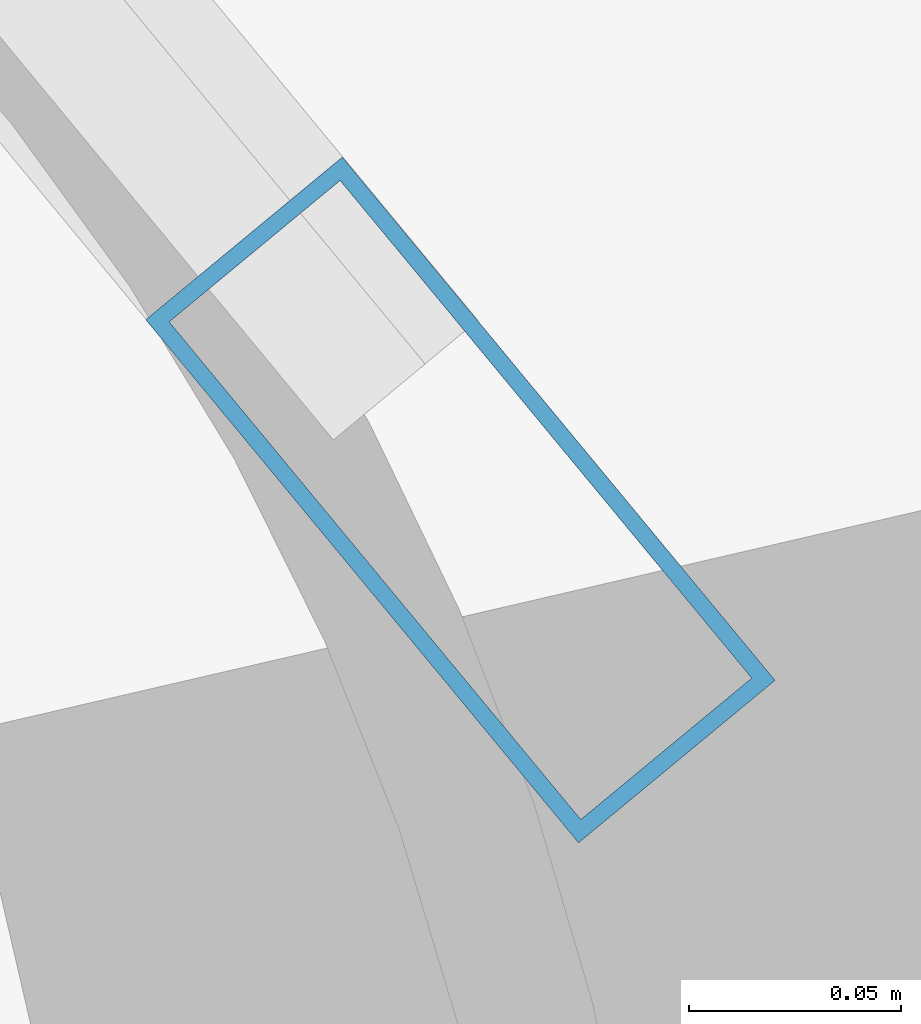
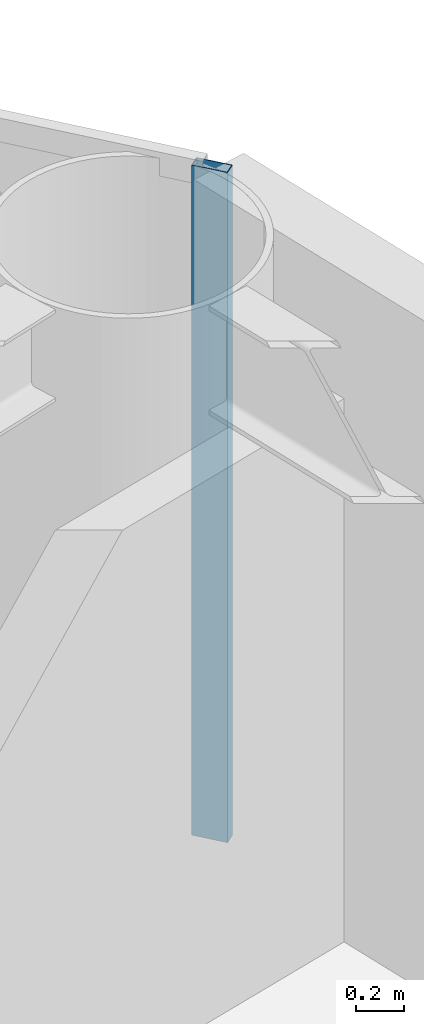
# One storey, part 9 of 27: 1 member, 1 element without a shape of its own.
"""IFC4 building model written with IfcOpenShell, lengths in metres."""

from ifc_helpers import new_model, si_unit, direction, frame, origin, origin_2d, place, context, subcontext, project, spatial, hollow_rectangle, extrude, material, layer, layer_set, material_profile, profile_set, type_object, element, aggregate, save


model = new_model("IFC4")

# Units and contexts
model_context = context("Model", 3, precision=1e-05, world=origin(), true_north=direction((0.0, 1.0)))
body_context = subcontext(model_context, "Body", "Model", "MODEL_VIEW")
ifc_project = project(units=[si_unit("LENGTHUNIT", "METRE"), si_unit("AREAUNIT", "SQUARE_METRE"), si_unit("VOLUMEUNIT", "CUBIC_METRE"), si_unit("PLANEANGLEUNIT", "RADIAN"), si_unit("MASSUNIT", "GRAM", prefix="KILO")], contexts=[model_context])

# Site, building, storey
site_placement = place(None, origin())
site = spatial("IfcSite", under=ifc_project, at=site_placement, CompositionType="ELEMENT")
building_placement = place(site_placement, origin())
building = spatial("IfcBuilding", under=site, at=building_placement, Name="Sarneth Arch Tower", CompositionType="ELEMENT")
storey_placement = place(building_placement, frame((0.0, 0.0, 186.60009765625)))
storey = spatial("IfcBuildingStorey", under=building, at=storey_placement, Name="L47", CompositionType="ELEMENT", Elevation=186.60009765625)

# Curtain wall, member
ifc_material_1 = material(Name="Anodised aluminium Type AA25 and solar-control low-e laminated IGU", Category="aluminium")
ifc_layer = layer(ifc_material_1, 0.169921875)
ifc_layer_set = layer_set([ifc_layer], Name="Anodised aluminium Type AA25 and solar-control low-e laminated IGU")
curtain_wall_type = type_object("IfcCurtainWallType", Name="CW-RES-MID", PredefinedType="NOTDEFINED", material=ifc_layer_set)
curtain_wall_placement = place(storey_placement, origin())
curtain_wall = element("IfcCurtainWall", 1, at=curtain_wall_placement, inside=storey, type_object=curtain_wall_type, Name="L47 Unitised curtain wall facet 02", PredefinedType="NOTDEFINED")
ifc_material_2 = material(Name="Anodised Aluminium 6063-T6", Category="aluminium")
ifc_material_profile = material_profile(ifc_material_2, hollow_rectangle(XDim=0.06005859375, YDim=0.159912109375, WallThickness=0.00390625, at=origin_2d()), Name="AL-MULL-160x60x4")
ifc_profile_set = profile_set([ifc_material_profile], Name="Anodised Aluminium 6063-T6")
member_type = type_object("IfcMemberType", Name="CW-MULLION", PredefinedType="MULLION", material=ifc_profile_set)
member_placement = place(storey_placement, frame((73.213134765625, 50.090087890625, 0.0), z_axis=(0.0, 0.0, 1.0), x_axis=(-0.770590741276, -0.637330298558, 0.0)))
member = element("IfcMember", 2, at=member_placement, type_object=member_type, Name="CW-SYS-5 mullion 1", PredefinedType="MULLION", context=body_context, shape_type="SweptSolid", body=[
    extrude(hollow_rectangle(XDim=0.06005859375, YDim=0.159912109375, WallThickness=0.00390625, at=origin_2d()), origin(), (0.0, 0.0, 1.0), 3.3798828125),
])
aggregate(curtain_wall, [member])

save(model, "model.ifc")
